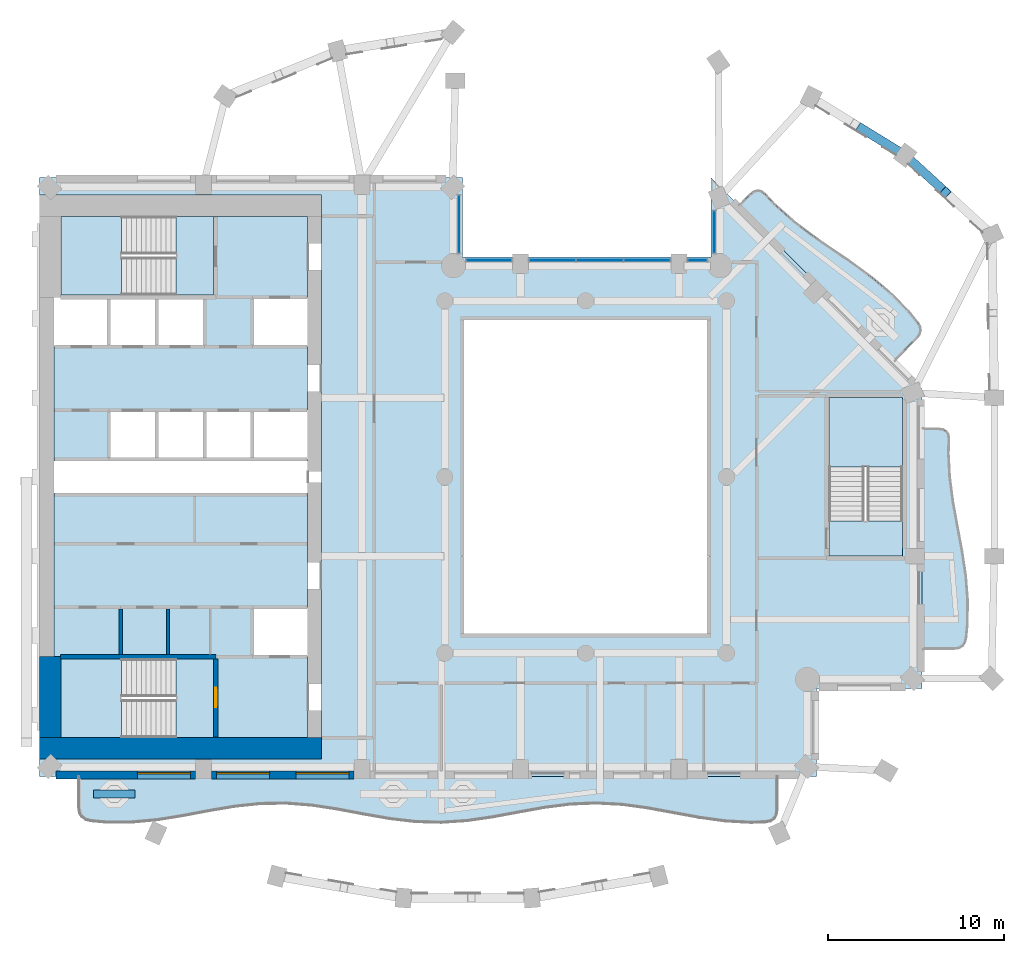
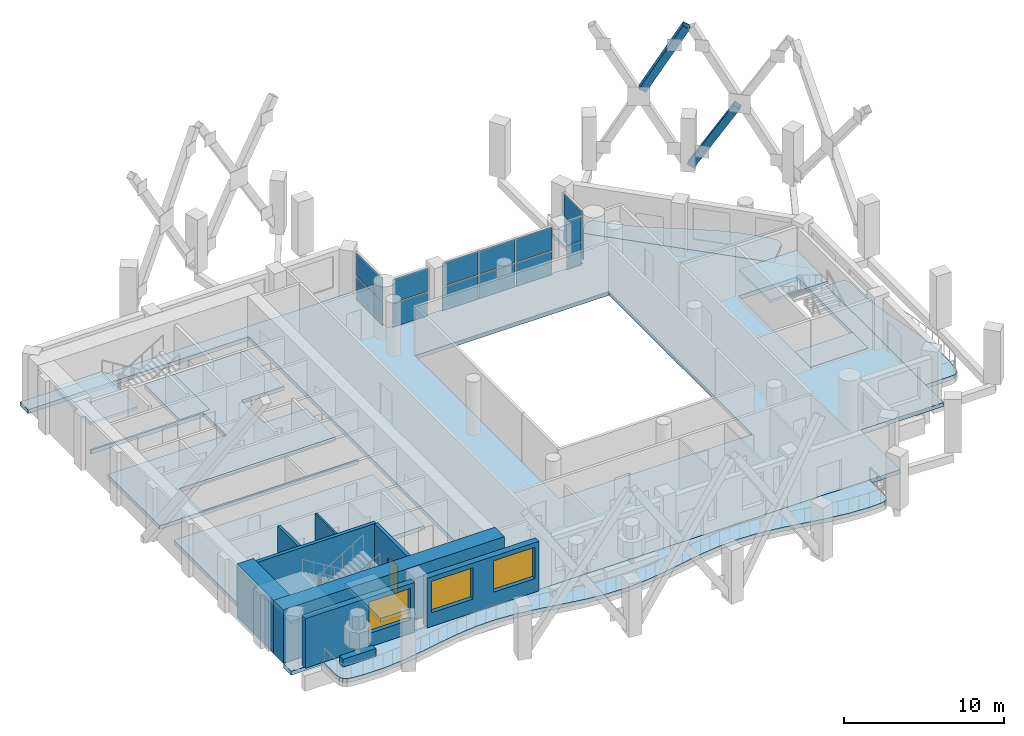
# One storey, part 3 of 17: 14 plates, 12 slabs, 9 walls, 3 windows, 2 members, 1 door, 4 openings, 8 elements without a shape of their own.
"""IFC4 building model written with IfcOpenShell, lengths in metres."""

from ifc_helpers import new_model, si_unit, direction, frame, frame_2d, origin, origin_2d, place, context, subcontext, project, spatial, polyline, rectangle, hollow_rectangle, outline, extrude, material, layer, layer_set, material_profile, profile_set, type_object, element, fill, aggregate, save


model = new_model("IFC4")

# Units and contexts
model_context = context("Model", 3, precision=1e-05, world=origin(), true_north=direction((0.0, 1.0)))
body_context = subcontext(model_context, "Body", "Model", "MODEL_VIEW")
ifc_project = project(units=[si_unit("LENGTHUNIT", "METRE"), si_unit("AREAUNIT", "SQUARE_METRE"), si_unit("VOLUMEUNIT", "CUBIC_METRE"), si_unit("PLANEANGLEUNIT", "RADIAN"), si_unit("MASSUNIT", "GRAM", prefix="KILO")], contexts=[model_context])

# Site, building, storey
site_placement = place(None, origin())
site = spatial("IfcSite", under=ifc_project, at=site_placement, CompositionType="ELEMENT")
building_placement = place(site_placement, origin())
building = spatial("IfcBuilding", under=site, at=building_placement, Name="Cypress Arch Tower", CompositionType="ELEMENT")
storey_placement = place(building_placement, frame((0.0, 0.0, 217.89990234375)))
storey = spatial("IfcBuildingStorey", under=building, at=storey_placement, Name="L48", CompositionType="ELEMENT", Elevation=217.89990234375)

# Members
ifc_material_1 = material(Name="Steel ASTM A500 Grade C", Category="steel")
ifc_material_profile = material_profile(ifc_material_1, hollow_rectangle(XDim=0.508056640625, YDim=0.508056640625, WallThickness=0.017578125, at=origin_2d()), Name="HSS 20x20x3/4")
ifc_profile_set = profile_set([ifc_material_profile], Name="Steel ASTM A500 Grade C")
member_type = type_object("IfcMemberType", Name="Exoskeleton brace HSS 20x20x3/4 Steel ASTM A500 Grade C", PredefinedType="BRACE", material=ifc_profile_set)
member_1_placement = place(storey_placement, frame((19.25244140625, 18.1630859375, 0.25732421875), z_axis=(0.378598463486, -0.346526055601, 0.858244077309), x_axis=(0.67517120176, 0.737661066014, 0.0)))
element("IfcMember", 1, at=member_1_placement, inside=storey, type_object=member_type, Name="Exoskeleton brace L48 CQ15-CQ16b2", PredefinedType="BRACE", context=body_context, shape_type="SweptSolid", body=[
    extrude(hollow_rectangle(XDim=0.508056640625, YDim=0.508056640625, WallThickness=0.017578125, at=origin_2d()), origin(), (0.0, 0.0, 1.0), 5.762451171875),
])
member_2_placement = place(storey_placement, frame((19.010009765625, 18.346435546875, 10.833251953125), z_axis=(-0.418588062756, 0.257499032582, -0.870906586229), x_axis=(-0.523959244261, -0.851743335961, 0.0)))
element("IfcMember", 2, at=member_2_placement, inside=storey, type_object=member_type, Name="Exoskeleton brace L48 CQ16-CQ17b1", PredefinedType="BRACE", context=body_context, shape_type="SweptSolid", body=[
    extrude(hollow_rectangle(XDim=0.508056640625, YDim=0.508056640625, WallThickness=0.017578125, at=origin_2d()), origin(), (0.0, 0.0, 1.0), 5.61669921875),
])

# Slabs
ifc_material_2 = material(Name="Concrete C40/50", Category="concrete")
ifc_layer_1 = layer(ifc_material_2, 0.300048828125)
ifc_layer_set_1 = layer_set([ifc_layer_1], Name="Balcony slab BS300")
slab_type_1 = type_object("IfcSlabType", Name="Balcony slab BS300", PredefinedType="USERDEFINED", material=ifc_layer_set_1)
slab_1_placement = place(storey_placement, frame((0.0, 0.0, -0.2998046875)))
element("IfcSlab", 3, at=slab_1_placement, inside=storey, type_object=slab_type_1, Name="Balcony slab L48-B01", ObjectType="BALCONY SLAB", PredefinedType="USERDEFINED", context=body_context, shape_type="SweptSolid", body=[
    extrude(outline(polyline([(-27.75, -17.0), (-27.75, -18.776611328125), (-27.708740234375, -19.07080078125), (-27.5849609375, -19.289794921875), (-27.378662109375, -19.433837890625), (-27.090087890625, -19.5029296875), (-26.283447265625, -19.58056640625), (-24.816650390625, -19.585205078125), (-23.35009765625, -19.453125), (-21.88330078125, -19.217529296875), (-20.416748046875, -18.939208984375), (-18.949951171875, -18.689208984375), (-17.4833984375, -18.5322265625), (-16.0166015625, -18.5078125), (-14.550048828125, -18.62255859375), (-13.083251953125, -18.84716796875), (-11.61669921875, -19.123779296875), (-10.14990234375, -19.3818359375), (-8.683349609375, -19.5546875), (-7.216552734375, -19.59814453125), (-5.75, -19.50146484375), (-4.283447265625, -19.288818359375), (-2.816650390625, -19.01513671875), (-1.35009765625, -18.750732421875), (0.11669921875, -18.56298828125), (1.583251953125, -18.500244140625), (3.050048828125, -18.57861328125), (4.5166015625, -18.778076171875), (5.9833984375, -19.04736328125), (7.449951171875, -19.3173828125), (8.916748046875, -19.51904296875), (10.38330078125, -19.600341796875), (11.18994140625, -19.567626953125), (11.478759765625, -19.5146484375), (11.68505859375, -19.382568359375), (11.808837890625, -19.171142578125), (11.85009765625, -18.88037109375), (11.85009765625, -17.0), (-27.75, -17.0)])), origin(), (0.0, 0.0, 1.0), 0.2998046875),
])
slab_2_placement = place(storey_placement, frame((0.0, 0.0, -0.2998046875)))
element("IfcSlab", 4, at=slab_2_placement, inside=storey, type_object=slab_type_1, Name="Balcony slab L48-B04", ObjectType="BALCONY SLAB", PredefinedType="USERDEFINED", context=body_context, shape_type="SweptSolid", body=[
    extrude(outline(polyline([(20.10009765625, -9.75), (21.91162109375, -9.75), (22.190185546875, -9.7109375), (22.39794921875, -9.59375), (22.534912109375, -9.3984375), (22.60107421875, -9.125), (22.67626953125, -8.361083984375), (22.691650390625, -6.97216796875), (22.582275390625, -5.583251953125), (22.373291015625, -4.1943359375), (22.113037109375, -2.8056640625), (21.861572265625, -1.416748046875), (21.676513671875, -0.02783203125), (21.6005859375, 1.361083984375), (21.628662109375, 2.125), (21.599609375, 2.3984375), (21.489501953125, 2.59375), (21.29833984375, 2.7109375), (21.026123046875, 2.75), (20.10009765625, 2.75), (20.10009765625, -9.75)])), origin(), (0.0, 0.0, 1.0), 0.2998046875),
])
slab_3_placement = place(storey_placement, frame((0.0, 0.0, -0.2998046875)))
element("IfcSlab", 5, at=slab_3_placement, inside=storey, type_object=slab_type_1, Name="Balcony slab L48-B05", ObjectType="BALCONY SLAB", PredefinedType="USERDEFINED", context=body_context, shape_type="SweptSolid", body=[
    extrude(outline(polyline([(18.509033203125, 6.591064453125), (19.791015625, 7.873046875), (19.9599609375, 8.09716796875), (20.02392578125, 8.326416015625), (19.98291015625, 8.560791015625), (19.836669921875, 8.80029296875), (19.350830078125, 9.392333984375), (18.382080078125, 10.38330078125), (17.32568359375, 11.286376953125), (16.198974609375, 12.119140625), (15.035888671875, 12.91552734375), (13.878173828125, 13.717529296875), (12.766845703125, 14.565673828125), (11.732177734375, 15.490478515625), (11.2119140625, 16.048095703125), (10.998291015625, 16.22021484375), (10.782470703125, 16.280029296875), (10.56494140625, 16.227783203125), (10.34521484375, 16.063232421875), (9.69091796875, 15.408935546875), (18.509033203125, 6.591064453125)])), origin(), (0.0, 0.0, 1.0), 0.2998046875),
])
ifc_material_3 = material(Name="Concrete C40/50", Category="concrete")
ifc_layer_2 = layer(ifc_material_3, 0.300048828125)
ifc_layer_set_2 = layer_set([ifc_layer_2], Name="Core floor CF300")
slab_type_2 = type_object("IfcSlabType", Name="Core floor CF300", PredefinedType="FLOOR", material=ifc_layer_set_2)
slab_4_placement = place(storey_placement, frame((0.0, 0.0, -0.2998046875)))
element("IfcSlab", 6, at=slab_4_placement, inside=storey, type_object=slab_type_2, Name="Core floor", PredefinedType="FLOOR", context=body_context, shape_type="SweptSolid", body=[
    extrude(outline(polyline([(-28.800048828125, -10.199951171875), (-29.199951171875, -10.199951171875), (-29.199951171875, -0.89990234375), (-15.199951171875, -0.89990234375), (-14.800048828125, -0.89990234375), (-14.800048828125, -7.39990234375), (-15.199951171875, -7.39990234375), (-17.919921875, -7.39990234375), (-17.919921875, -10.199951171875), (-15.199951171875, -10.199951171875), (-14.800048828125, -10.199951171875), (-14.800048828125, -14.800048828125), (-15.199951171875, -14.800048828125), (-20.125, -14.800048828125), (-20.125, -10.324951171875), (-22.27490234375, -10.324951171875), (-28.800048828125, -10.324951171875), (-28.800048828125, -10.199951171875)])), origin(), (0.0, 0.0, 1.0), 0.2998046875),
])
slab_5_placement = place(storey_placement, frame((0.0, 0.0, -0.2998046875)))
element("IfcSlab", 7, at=slab_5_placement, inside=storey, type_object=slab_type_2, Name="Core floor", PredefinedType="FLOOR", context=body_context, shape_type="SweptSolid", body=[
    extrude(outline(polyline([(-22.27490234375, -10.324951171875), (-22.27490234375, -14.800048828125), (-20.125, -14.800048828125), (-20.125, -10.324951171875), (-22.27490234375, -10.324951171875)])), origin(), (0.0, 0.0, 1.0), 0.2998046875),
])
slab_6_placement = place(storey_placement, frame((0.0, 0.0, -0.2998046875)))
element("IfcSlab", 8, at=slab_6_placement, inside=storey, type_object=slab_type_2, Name="Core floor", PredefinedType="FLOOR", context=body_context, shape_type="SweptSolid", body=[
    extrude(outline(polyline([(-20.125, 14.800048828125), (-22.27490234375, 14.800048828125), (-22.27490234375, 10.324951171875), (-20.125, 10.324951171875), (-20.125, 14.800048828125)])), origin(), (0.0, 0.0, 1.0), 0.2998046875),
])
slab_7_placement = place(storey_placement, frame((0.0, 0.0, -0.2998046875)))
element("IfcSlab", 9, at=slab_7_placement, inside=storey, type_object=slab_type_2, Name="Stair floor landing", PredefinedType="FLOOR", context=body_context, shape_type="SweptSolid", body=[
    extrude(outline(polyline([(19.0, -4.5), (19.0, -2.5), (14.800048828125, -2.5), (14.800048828125, -4.5), (19.0, -4.5)])), origin(), (0.0, 0.0, 1.0), 0.2998046875),
])
slab_8_placement = place(storey_placement, frame((0.0, 0.0, -0.2998046875)))
element("IfcSlab", 10, at=slab_8_placement, inside=storey, type_object=slab_type_2, Name="Core floor", PredefinedType="FLOOR", context=body_context, shape_type="SweptSolid", body=[
    extrude(outline(polyline([(-20.639892578125, 7.39990234375), (-20.639892578125, 10.199951171875), (-23.360107421875, 10.199951171875), (-26.080078125, 10.199951171875), (-28.800048828125, 10.199951171875), (-28.800048828125, 10.324951171875), (-22.27490234375, 10.324951171875), (-20.125, 10.324951171875), (-20.125, 14.800048828125), (-15.199951171875, 14.800048828125), (-14.800048828125, 14.800048828125), (-14.800048828125, 10.199951171875), (-15.199951171875, 10.199951171875), (-17.919921875, 10.199951171875), (-17.919921875, 7.39990234375), (-15.199951171875, 7.39990234375), (-14.800048828125, 7.39990234375), (-14.800048828125, 3.800048828125), (-15.199951171875, 3.800048828125), (-17.919921875, 3.800048828125), (-20.639892578125, 3.800048828125), (-23.360107421875, 3.800048828125), (-26.080078125, 3.800048828125), (-26.080078125, 1.5), (-26.080078125, 1.5), (-26.080078125, 1.0), (-25.679931640625, 1.0), (-23.360107421875, 1.0), (-20.639892578125, 1.0), (-17.919921875, 1.0), (-15.199951171875, 1.0), (-14.800048828125, 1.0), (-14.800048828125, 0.89990234375), (-15.199951171875, 0.89990234375), (-25.679931640625, 0.89990234375), (-26.47998046875, 0.89990234375), (-29.199951171875, 0.89990234375), (-29.199951171875, 1.5), (-29.199951171875, 7.39990234375), (-26.080078125, 7.39990234375), (-23.360107421875, 7.39990234375), (-20.639892578125, 7.39990234375)])), origin(), (0.0, 0.0, 1.0), 0.2998046875),
])

# Curtain wall, plates
ifc_material_4 = material(Name="Anodised aluminium, bronze finish, clear laminated double glazing", Category="aluminium")
curtain_wall_type = type_object("IfcCurtainWallType", Name="Curtain wall CW7 slot glazing", PredefinedType="NOTDEFINED", material=ifc_material_4)
curtain_wall_1_placement = place(storey_placement, origin())
curtain_wall_1 = element("IfcCurtainWall", 11, at=curtain_wall_1_placement, inside=storey, type_object=curtain_wall_type, Name="Curtain wall L48 slot B06.0", PredefinedType="NOTDEFINED")
ifc_material_5 = material(Name="Clear laminated double glazing", Category="glass")
ifc_layer_3 = layer(ifc_material_5, 0.0439453125)
ifc_layer_set_3 = layer_set([ifc_layer_3], Name="Glass panel CW7 44")
plate_type = type_object("IfcPlateType", Name="Glass panel CW7 44", PredefinedType="CURTAIN_PANEL", material=ifc_layer_set_3)
plate_1_placement = place(storey_placement, frame((8.300048828125, 13.912353515625, 0.085205078125), z_axis=(0.0, 0.0, 1.0), x_axis=(0.0, -1.0, 0.0)))
plate_1 = element("IfcPlate", 12, at=plate_1_placement, type_object=plate_type, Name="CW7 panel 1.1", PredefinedType="CURTAIN_PANEL", context=body_context, shape_type="SweptSolid", body=[
    extrude(rectangle(XDim=2.345458984375, YDim=0.0439453125, at=origin_2d()), origin(), (0.0, 0.0, 1.0), 1.7724609375),
])
plate_2_placement = place(storey_placement, frame((8.300048828125, 13.912353515625, 1.942626953125), z_axis=(0.0, 0.0, 1.0), x_axis=(0.0, -1.0, 0.0)))
plate_2 = element("IfcPlate", 13, at=plate_2_placement, type_object=plate_type, Name="CW7 panel 1.2", PredefinedType="CURTAIN_PANEL", context=body_context, shape_type="SweptSolid", body=[
    extrude(rectangle(XDim=2.345458984375, YDim=0.0439453125, at=origin_2d()), origin(), (0.0, 0.0, 1.0), 1.7724609375),
])
aggregate(curtain_wall_1, [plate_1, plate_2])

curtain_wall_2_placement = place(storey_placement, origin())
curtain_wall_2 = element("IfcCurtainWall", 14, at=curtain_wall_2_placement, inside=storey, type_object=curtain_wall_type, Name="Curtain wall L48 slot B07.0", PredefinedType="NOTDEFINED")
plate_3_placement = place(storey_placement, frame((7.34765625, 12.300048828125, 0.085205078125), z_axis=(0.0, 0.0, 1.0), x_axis=(-1.0, 0.0, 0.0)))
plate_3 = element("IfcPlate", 15, at=plate_3_placement, type_object=plate_type, Name="CW7 panel 1.1", PredefinedType="CURTAIN_PANEL", context=body_context, shape_type="SweptSolid", body=[
    extrude(rectangle(XDim=1.025390625, YDim=0.0439453125, at=origin_2d()), origin(), (0.0, 0.0, 1.0), 1.7724609375),
])
plate_4_placement = place(storey_placement, frame((7.34765625, 12.300048828125, 1.942626953125), z_axis=(0.0, 0.0, 1.0), x_axis=(-1.0, 0.0, 0.0)))
plate_4 = element("IfcPlate", 16, at=plate_4_placement, type_object=plate_type, Name="CW7 panel 1.2", PredefinedType="CURTAIN_PANEL", context=body_context, shape_type="SweptSolid", body=[
    extrude(rectangle(XDim=1.025390625, YDim=0.0439453125, at=origin_2d()), origin(), (0.0, 0.0, 1.0), 1.7724609375),
])
aggregate(curtain_wall_2, [plate_3, plate_4])

curtain_wall_3_placement = place(storey_placement, origin())
curtain_wall_3 = element("IfcCurtainWall", 17, at=curtain_wall_3_placement, inside=storey, type_object=curtain_wall_type, Name="Curtain wall L48 slot B07.1", PredefinedType="NOTDEFINED")
plate_5_placement = place(storey_placement, frame((4.478759765625, 12.300048828125, 0.085205078125), z_axis=(0.0, 0.0, 1.0), x_axis=(-1.0, 0.0, 0.0)))
plate_5 = element("IfcPlate", 18, at=plate_5_placement, type_object=plate_type, Name="CW7 panel 1.1", PredefinedType="CURTAIN_PANEL", context=body_context, shape_type="SweptSolid", body=[
    extrude(rectangle(XDim=2.572509765625, YDim=0.0439453125, at=origin_2d()), origin(), (0.0, 0.0, 1.0), 1.7724609375),
])
plate_6_placement = place(storey_placement, frame((4.478759765625, 12.300048828125, 1.942626953125), z_axis=(0.0, 0.0, 1.0), x_axis=(-1.0, 0.0, 0.0)))
plate_6 = element("IfcPlate", 19, at=plate_6_placement, type_object=plate_type, Name="CW7 panel 1.2", PredefinedType="CURTAIN_PANEL", context=body_context, shape_type="SweptSolid", body=[
    extrude(rectangle(XDim=2.572509765625, YDim=0.0439453125, at=origin_2d()), origin(), (0.0, 0.0, 1.0), 1.7724609375),
])
plate_7_placement = place(storey_placement, frame((1.800048828125, 12.300048828125, 0.085205078125), z_axis=(0.0, 0.0, 1.0), x_axis=(-1.0, 0.0, 0.0)))
plate_7 = element("IfcPlate", 20, at=plate_7_placement, type_object=plate_type, Name="CW7 panel 2.1", PredefinedType="CURTAIN_PANEL", context=body_context, shape_type="SweptSolid", body=[
    extrude(rectangle(XDim=2.614990234375, YDim=0.0439453125, at=origin_2d()), origin(), (0.0, 0.0, 1.0), 1.7724609375),
])
plate_8_placement = place(storey_placement, frame((1.800048828125, 12.300048828125, 1.942626953125), z_axis=(0.0, 0.0, 1.0), x_axis=(-1.0, 0.0, 0.0)))
plate_8 = element("IfcPlate", 21, at=plate_8_placement, type_object=plate_type, Name="CW7 panel 2.2", PredefinedType="CURTAIN_PANEL", context=body_context, shape_type="SweptSolid", body=[
    extrude(rectangle(XDim=2.614990234375, YDim=0.0439453125, at=origin_2d()), origin(), (0.0, 0.0, 1.0), 1.7724609375),
])
plate_9_placement = place(storey_placement, frame((-0.878662109375, 12.300048828125, 0.085205078125), z_axis=(0.0, 0.0, 1.0), x_axis=(-1.0, 0.0, 0.0)))
plate_9 = element("IfcPlate", 22, at=plate_9_placement, type_object=plate_type, Name="CW7 panel 3.1", PredefinedType="CURTAIN_PANEL", context=body_context, shape_type="SweptSolid", body=[
    extrude(rectangle(XDim=2.572509765625, YDim=0.0439453125, at=origin_2d()), origin(), (0.0, 0.0, 1.0), 1.7724609375),
])
plate_10_placement = place(storey_placement, frame((-0.878662109375, 12.300048828125, 1.942626953125), z_axis=(0.0, 0.0, 1.0), x_axis=(-1.0, 0.0, 0.0)))
plate_10 = element("IfcPlate", 23, at=plate_10_placement, type_object=plate_type, Name="CW7 panel 3.2", PredefinedType="CURTAIN_PANEL", context=body_context, shape_type="SweptSolid", body=[
    extrude(rectangle(XDim=2.572509765625, YDim=0.0439453125, at=origin_2d()), origin(), (0.0, 0.0, 1.0), 1.7724609375),
])
aggregate(curtain_wall_3, [plate_5, plate_6, plate_7, plate_8, plate_9, plate_10])

curtain_wall_4_placement = place(storey_placement, origin())
curtain_wall_4 = element("IfcCurtainWall", 24, at=curtain_wall_4_placement, inside=storey, type_object=curtain_wall_type, Name="Curtain wall L48 slot B07.2", PredefinedType="NOTDEFINED")
plate_11_placement = place(storey_placement, frame((-4.497802734375, 12.300048828125, 0.085205078125), z_axis=(0.0, 0.0, 1.0), x_axis=(-1.0, 0.0, 0.0)))
plate_11 = element("IfcPlate", 25, at=plate_11_placement, type_object=plate_type, Name="CW7 panel 1.1", PredefinedType="CURTAIN_PANEL", context=body_context, shape_type="SweptSolid", body=[
    extrude(rectangle(XDim=2.525390625, YDim=0.0439453125, at=origin_2d()), origin(), (0.0, 0.0, 1.0), 1.7724609375),
])
plate_12_placement = place(storey_placement, frame((-4.497802734375, 12.300048828125, 1.942626953125), z_axis=(0.0, 0.0, 1.0), x_axis=(-1.0, 0.0, 0.0)))
plate_12 = element("IfcPlate", 26, at=plate_12_placement, type_object=plate_type, Name="CW7 panel 1.2", PredefinedType="CURTAIN_PANEL", context=body_context, shape_type="SweptSolid", body=[
    extrude(rectangle(XDim=2.525390625, YDim=0.0439453125, at=origin_2d()), origin(), (0.0, 0.0, 1.0), 1.7724609375),
])
aggregate(curtain_wall_4, [plate_11, plate_12])

curtain_wall_5_placement = place(storey_placement, origin())
curtain_wall_5 = element("IfcCurtainWall", 27, at=curtain_wall_5_placement, inside=storey, type_object=curtain_wall_type, Name="Curtain wall L48 slot B08.0", PredefinedType="NOTDEFINED")
plate_13_placement = place(storey_placement, frame((-6.199951171875, 14.359130859375, 0.085205078125), z_axis=(0.0, 0.0, 1.0), x_axis=(0.0, 1.0, 0.0)))
plate_13 = element("IfcPlate", 28, at=plate_13_placement, type_object=plate_type, Name="CW7 panel 1.1", PredefinedType="CURTAIN_PANEL", context=body_context, shape_type="SweptSolid", body=[
    extrude(rectangle(XDim=3.239013671875, YDim=0.0439453125, at=origin_2d()), origin(), (0.0, 0.0, 1.0), 1.7724609375),
])
plate_14_placement = place(storey_placement, frame((-6.199951171875, 14.359130859375, 1.942626953125), z_axis=(0.0, 0.0, 1.0), x_axis=(0.0, 1.0, 0.0)))
plate_14 = element("IfcPlate", 29, at=plate_14_placement, type_object=plate_type, Name="CW7 panel 1.2", PredefinedType="CURTAIN_PANEL", context=body_context, shape_type="SweptSolid", body=[
    extrude(rectangle(XDim=3.239013671875, YDim=0.0439453125, at=origin_2d()), origin(), (0.0, 0.0, 1.0), 1.7724609375),
])
aggregate(curtain_wall_5, [plate_13, plate_14])

# Slab
ifc_material_6 = material(Name="Concrete C40/50", Category="concrete")
ifc_layer_4 = layer(ifc_material_6, 0.300048828125)
ifc_layer_set_4 = layer_set([ifc_layer_4], Name="PT flat slab 300 Concrete C40/50")
slab_type_3 = type_object("IfcSlabType", Name="PT flat slab 300 Concrete C40/50", PredefinedType="FLOOR", material=ifc_layer_set_4)
slab_9_placement = place(storey_placement, frame((0.0, 0.0, -0.2998046875)))
element("IfcSlab", 30, at=slab_9_placement, inside=storey, type_object=slab_type_3, Name="Floor slab L48", PredefinedType="FLOOR", context=body_context, shape_type="SweptSolid", body=[
    extrude(outline(polyline([(-30.0, 17.0), (-6.0, 17.0), (-6.0, 12.5), (8.10009765625, 12.5), (8.10009765625, 17.0), (20.10009765625, 5.0), (20.10009765625, -12.0), (14.10009765625, -12.0), (14.10009765625, -17.0), (-30.0, -17.0), (-30.0, -16.0), (-14.0, -16.0), (-14.0, 16.0), (-30.0, 16.0), (-30.0, 17.0)]), holes=[polyline([(-6.0, -9.0), (8.0, -9.0), (8.0, 9.0), (-6.0, 9.0), (-6.0, -9.0)]), polyline([(14.800048828125, -4.5), (19.0, -4.5), (19.0, 4.5), (14.800048828125, 4.5), (14.800048828125, -4.5)])]), origin(), (0.0, 0.0, 1.0), 0.2998046875),
])

# Stair, slab
ifc_material_7 = material(Name="Concrete C40/50", Category="concrete")
stair_type_1 = type_object("IfcStairType", Name="Exit stair ES1708-215", PredefinedType="HALF_TURN_STAIR", material=ifc_material_7)
stair_1_placement = place(storey_placement, origin())
stair_1 = element("IfcStair", 31, at=stair_1_placement, inside=storey, type_object=stair_type_1, Name="L48 Exit stair A", PredefinedType="HALF_TURN_STAIR")
ifc_material_8 = material(Name="Concrete C40/50", Category="concrete")
ifc_layer_5 = layer(ifc_material_8, 0.199951171875)
ifc_layer_set_5 = layer_set([ifc_layer_5], Name="Stair landing SL200")
slab_type_4 = type_object("IfcSlabType", Name="Stair landing SL200", PredefinedType="LANDING", material=ifc_layer_set_5)
slab_10_placement = place(storey_placement, frame((0.0, 0.0, 1.85009765625)))
slab_10 = element("IfcSlab", 32, at=slab_10_placement, type_object=slab_type_4, Name="A landing 1", PredefinedType="LANDING", context=body_context, shape_type="SweptSolid", body=[
    extrude(outline(polyline([(-25.35498046875, -10.324951171875), (-28.800048828125, -10.324951171875), (-28.800048828125, -14.800048828125), (-25.35498046875, -14.800048828125), (-25.35498046875, -10.324951171875)])), origin(), (0.0, 0.0, 1.0), 0.199951171875),
])
aggregate(stair_1, [slab_10])

stair_2_placement = place(storey_placement, origin())
stair_2 = element("IfcStair", 33, at=stair_2_placement, inside=storey, type_object=stair_type_1, Name="L48 Exit stair B", PredefinedType="HALF_TURN_STAIR")
slab_11_placement = place(storey_placement, frame((0.0, 0.0, 1.85009765625)))
slab_11 = element("IfcSlab", 34, at=slab_11_placement, type_object=slab_type_4, Name="B landing 1", PredefinedType="LANDING", context=body_context, shape_type="SweptSolid", body=[
    extrude(outline(polyline([(-25.35498046875, 14.800048828125), (-28.800048828125, 14.800048828125), (-28.800048828125, 10.324951171875), (-25.35498046875, 10.324951171875), (-25.35498046875, 14.800048828125)])), origin(), (0.0, 0.0, 1.0), 0.199951171875),
])
aggregate(stair_2, [slab_11])

ifc_material_9 = material(Name="Concrete C40/50", Category="concrete")
stair_type_2 = type_object("IfcStairType", Name="Exit stair ES1708-200", PredefinedType="HALF_TURN_STAIR", material=ifc_material_9)
stair_3_placement = place(storey_placement, origin())
stair_3 = element("IfcStair", 35, at=stair_3_placement, inside=storey, type_object=stair_type_2, Name="L48 Exit stair C", PredefinedType="HALF_TURN_STAIR")
slab_12_placement = place(storey_placement, frame((0.0, 0.0, 1.85009765625)))
slab_12 = element("IfcSlab", 36, at=slab_12_placement, type_object=slab_type_4, Name="C landing 1", PredefinedType="LANDING", context=body_context, shape_type="SweptSolid", body=[
    extrude(outline(polyline([(19.0, 0.580078125), (19.0, 4.5), (14.800048828125, 4.5), (14.800048828125, 0.580078125), (19.0, 0.580078125)])), origin(), (0.0, 0.0, 1.0), 0.199951171875),
])
aggregate(stair_3, [slab_12])

# Wall
ifc_material_10 = material(Name="Concrete C40/50, waterproofed", Category="concrete")
ifc_layer_6 = layer(ifc_material_10, 0.449951171875)
ifc_layer_set_6 = layer_set([ifc_layer_6], Name="Balcony planter wall PW450")
wall_type_1 = type_object("IfcWallType", Name="Balcony planter wall PW450", PredefinedType="SOLIDWALL", material=ifc_layer_set_6)
wall_1_placement = place(storey_placement, frame((-26.949951171875, -18.0, 0.0), z_axis=(0.0, 0.0, 1.0), x_axis=(1.0, 0.0, 0.0)))
element("IfcWall", 37, at=wall_1_placement, inside=storey, type_object=wall_type_1, Name="Balcony planter wall L48-B01.1", PredefinedType="SOLIDWALL", context=body_context, shape_type="SweptSolid", body=[
    extrude(rectangle(XDim=2.35986328125, YDim=0.449951171875, at=frame_2d((1.179931640625, 0.0))), origin(), (0.0, 0.0, 1.0), 0.60009765625),
])

# Wall, opening, window
ifc_material_11 = material(Name="Brick (red buff blend)", Category="masonry")
ifc_layer_7 = layer(ifc_material_11, 0.449951171875)
ifc_layer_set_7 = layer_set([ifc_layer_7], Name="Brick pier and spandrel wall BW450")
wall_type_2 = type_object("IfcWallType", Name="Brick pier and spandrel wall BW450", PredefinedType="SOLIDWALL", material=ifc_layer_set_7)
wall_2_placement = place(storey_placement, frame((-29.063720703125, -16.925048828125, 0.0), z_axis=(0.0, 0.0, 1.0), x_axis=(1.0, 0.0, 0.0)))
wall_2 = element("IfcWall", 38, at=wall_2_placement, inside=storey, type_object=wall_type_2, Name="Brick wall L48 B01.0", PredefinedType="SOLIDWALL", context=body_context, shape_type="SweptSolid", body=[
    extrude(rectangle(XDim=7.913818359375, YDim=0.449951171875, at=frame_2d((3.95703125, 0.0))), origin(), (0.0, 0.0, 1.0), 3.800048828125),
])
opening_1_placement = place(wall_2_placement, frame((4.613525390625, 0.0, 1.050048828125)))
opening_1 = element("IfcOpeningElement", 39, at=opening_1_placement, cuts=wall_2, Name="Opening W300OD", PredefinedType="OPENING", context=body_context, shape_type="SweptSolid", body=[
    extrude(rectangle(XDim=3.0, YDim=2.39990234375, at=frame_2d((1.5, 1.199951171875))), frame((0.0, 0.23486328125, 0.0), z_axis=(0.0, -1.0, 0.0), x_axis=(1.0, 0.0, 0.0)), (0.0, 0.0, 1.0), 0.469970703125),
])
ifc_material_12 = material(Name="Anodised aluminium, bronze finish, laminated low-emissivity double glazing, large-missile impact rated", Category="aluminium")
window_type = type_object("IfcWindowType", Name="Window Office 3000x2400 debris-rated", PartitioningType="SINGLE_PANEL", PredefinedType="WINDOW", material=ifc_material_12)
window_1_placement = place(opening_1_placement, origin())
window_1 = element("IfcWindow", 40, at=window_1_placement, inside=storey, type_object=window_type, Name="Window L48 B01.0.2", OverallHeight=2.39990234375, OverallWidth=3.0, PartitioningType="SINGLE_PANEL", PredefinedType="WINDOW", context=body_context, shape_type="SweptSolid", body=[
    extrude(rectangle(XDim=3.0, YDim=2.39990234375, at=frame_2d((1.5, 1.199951171875))), frame((0.0, 0.135009765625, 0.0), z_axis=(0.0, -1.0, 0.0), x_axis=(1.0, 0.0, 0.0)), (0.0, 0.0, 1.0), 0.06005859375),
])
fill(opening_1, window_1)

# Wall, openings, windows
wall_3_placement = place(storey_placement, frame((-20.25, -16.925048828125, 0.0), z_axis=(0.0, 0.0, 1.0), x_axis=(1.0, 0.0, 0.0)))
wall_3 = element("IfcWall", 41, at=wall_3_placement, inside=storey, type_object=wall_type_2, Name="Brick wall L48 B01.1", PredefinedType="SOLIDWALL", context=body_context, shape_type="SweptSolid", body=[
    extrude(rectangle(XDim=8.10009765625, YDim=0.449951171875, at=frame_2d((4.050048828125, 0.0))), origin(), (0.0, 0.0, 1.0), 3.800048828125),
])
opening_2_placement = place(wall_3_placement, frame((0.300048828125, 0.0, 1.050048828125)))
opening_2 = element("IfcOpeningElement", 42, at=opening_2_placement, cuts=wall_3, Name="Opening W300OD", PredefinedType="OPENING", context=body_context, shape_type="SweptSolid", body=[
    extrude(rectangle(XDim=3.0, YDim=2.39990234375, at=frame_2d((1.5, 1.199951171875))), frame((0.0, 0.23486328125, 0.0), z_axis=(0.0, -1.0, 0.0), x_axis=(1.0, 0.0, 0.0)), (0.0, 0.0, 1.0), 0.469970703125),
])
opening_3_placement = place(wall_3_placement, frame((4.800048828125, 0.0, 1.050048828125)))
opening_3 = element("IfcOpeningElement", 43, at=opening_3_placement, cuts=wall_3, Name="Opening W300OD", PredefinedType="OPENING", context=body_context, shape_type="SweptSolid", body=[
    extrude(rectangle(XDim=3.0, YDim=2.39990234375, at=frame_2d((1.5, 1.199951171875))), frame((0.0, 0.23486328125, 0.0), z_axis=(0.0, -1.0, 0.0), x_axis=(1.0, 0.0, 0.0)), (0.0, 0.0, 1.0), 0.469970703125),
])
window_2_placement = place(opening_2_placement, origin())
window_2 = element("IfcWindow", 44, at=window_2_placement, inside=storey, type_object=window_type, Name="Window L48 B01.1.1", OverallHeight=2.39990234375, OverallWidth=3.0, PartitioningType="SINGLE_PANEL", PredefinedType="WINDOW", context=body_context, shape_type="SweptSolid", body=[
    extrude(rectangle(XDim=3.0, YDim=2.39990234375, at=frame_2d((1.5, 1.199951171875))), frame((0.0, 0.135009765625, 0.0), z_axis=(0.0, -1.0, 0.0), x_axis=(1.0, 0.0, 0.0)), (0.0, 0.0, 1.0), 0.06005859375),
])
fill(opening_2, window_2)
window_3_placement = place(opening_3_placement, origin())
window_3 = element("IfcWindow", 45, at=window_3_placement, inside=storey, type_object=window_type, Name="Window L48 B01.1.2", OverallHeight=2.39990234375, OverallWidth=3.0, PartitioningType="SINGLE_PANEL", PredefinedType="WINDOW", context=body_context, shape_type="SweptSolid", body=[
    extrude(rectangle(XDim=3.0, YDim=2.39990234375, at=frame_2d((1.5, 1.199951171875))), frame((0.0, 0.135009765625, 0.0), z_axis=(0.0, -1.0, 0.0), x_axis=(1.0, 0.0, 0.0)), (0.0, 0.0, 1.0), 0.06005859375),
])
fill(opening_3, window_3)

# Walls
ifc_material_13 = material(Name="Concrete C70/85", Category="concrete")
ifc_layer_8 = layer(ifc_material_13, 1.199951171875)
ifc_layer_set_8 = layer_set([ifc_layer_8], Name="Core wall CW1200 C70/85")
wall_type_3 = type_object("IfcWallType", Name="Core wall CW1200 C70/85", PredefinedType="SHEAR", material=ifc_layer_set_8)
wall_4_placement = place(storey_placement, frame((-30.0, -15.39990234375, 0.0), z_axis=(0.0, 0.0, 1.0), x_axis=(1.0, 0.0, 0.0)))
element("IfcWall", 46, at=wall_4_placement, inside=storey, type_object=wall_type_3, Name="Core wall", PredefinedType="SHEAR", context=body_context, shape_type="SweptSolid", body=[
    extrude(rectangle(XDim=16.0, YDim=1.199951171875, at=frame_2d((8.0, 0.0))), origin(), (0.0, 0.0, 1.0), 4.10009765625),
])
wall_5_placement = place(storey_placement, frame((-29.39990234375, -14.800048828125, 0.0), z_axis=(0.0, 0.0, 1.0), x_axis=(0.0, 1.0, 0.0)))
element("IfcWall", 47, at=wall_5_placement, inside=storey, type_object=wall_type_3, Name="Core wall", PredefinedType="SHEAR", context=body_context, shape_type="SweptSolid", body=[
    extrude(rectangle(XDim=4.60009765625, YDim=1.199951171875, at=frame_2d((2.300048828125, 0.0))), origin(), (0.0, 0.0, 1.0), 4.10009765625),
])
ifc_material_14 = material(Name="Blockwork, plastered both sides", Category="masonry")
ifc_layer_9 = layer(ifc_material_14, 0.14990234375)
ifc_layer_set_9 = layer_set([ifc_layer_9], Name="Partition PW150")
wall_type_4 = type_object("IfcWallType", Name="Partition PW150", PredefinedType="PARTITIONING", material=ifc_layer_set_9)
wall_6_placement = place(storey_placement, frame((-22.719970703125, -10.074951171875, 0.0), z_axis=(0.0, 0.0, 1.0), x_axis=(0.0, 1.0, 0.0)))
element("IfcWall", 48, at=wall_6_placement, inside=storey, type_object=wall_type_4, Name="Partition", PredefinedType="PARTITIONING", context=body_context, shape_type="SweptSolid", body=[
    extrude(rectangle(XDim=2.574951171875, YDim=0.14990234375, at=frame_2d((1.28759765625, 0.0))), origin(), (0.0, 0.0, 1.0), 3.800048828125),
])
ifc_material_15 = material(Name="Reinforced blockwork, plastered, rated", Category="masonry")
ifc_layer_10 = layer(ifc_material_15, 0.199951171875)
ifc_layer_set_10 = layer_set([ifc_layer_10], Name="Plant and riser wall PL200")
wall_type_5 = type_object("IfcWallType", Name="Plant and riser wall PL200", PredefinedType="PARTITIONING", material=ifc_layer_set_10)
wall_7_placement = place(storey_placement, frame((-25.39990234375, -10.074951171875, 0.0), z_axis=(0.0, 0.0, 1.0), x_axis=(0.0, 1.0, 0.0)))
element("IfcWall", 49, at=wall_7_placement, inside=storey, type_object=wall_type_5, Name="Plant and riser wall", PredefinedType="PARTITIONING", context=body_context, shape_type="SweptSolid", body=[
    extrude(rectangle(XDim=2.574951171875, YDim=0.199951171875, at=frame_2d((1.28759765625, 0.0))), origin(), (0.0, 0.0, 1.0), 3.800048828125),
])
ifc_material_16 = material(Name="Concrete C50/60", Category="concrete")
ifc_layer_11 = layer(ifc_material_16, 0.25)
ifc_layer_set_11 = layer_set([ifc_layer_11], Name="Stair enclosure wall SW250")
wall_type_6 = type_object("IfcWallType", Name="Stair enclosure wall SW250", PredefinedType="SHEAR", material=ifc_layer_set_11)
wall_8_placement = place(storey_placement, frame((-28.81005859375, -10.199951171875, 0.0), z_axis=(0.0, 0.0, 1.0), x_axis=(1.0, 0.0, 0.0)))
element("IfcWall", 50, at=wall_8_placement, inside=storey, type_object=wall_type_6, Name="Stair enclosure wall", PredefinedType="SHEAR", context=body_context, shape_type="SweptSolid", body=[
    extrude(rectangle(XDim=8.81005859375, YDim=0.25, at=frame_2d((4.405029296875, 0.0))), origin(), (0.0, 0.0, 1.0), 3.800048828125),
])

# Wall, opening, door
wall_9_placement = place(storey_placement, frame((-20.0, -14.77001953125, 0.0), z_axis=(0.0, 0.0, 1.0), x_axis=(0.0, 1.0, 0.0)))
wall_9 = element("IfcWall", 51, at=wall_9_placement, inside=storey, type_object=wall_type_6, Name="Stair enclosure wall", PredefinedType="SHEAR", context=body_context, shape_type="SweptSolid", body=[
    extrude(rectangle(XDim=4.445068359375, YDim=0.25, at=frame_2d((2.22265625, 0.0))), origin(), (0.0, 0.0, 1.0), 3.800048828125),
])
opening_4_placement = place(wall_9_placement, frame((1.699951171875, 0.0, 0.0)))
opening_4 = element("IfcOpeningElement", 52, at=opening_4_placement, cuts=wall_9, Name="Opening D06", PredefinedType="OPENING", context=body_context, shape_type="SweptSolid", body=[
    extrude(rectangle(XDim=1.10009765625, YDim=2.199951171875, at=frame_2d((0.550048828125, 1.10009765625))), frame((0.0, 0.135009765625, 0.0), z_axis=(0.0, -1.0, 0.0), x_axis=(1.0, 0.0, 0.0)), (0.0, 0.0, 1.0), 0.27001953125),
])
ifc_material_17 = material(Name="Steel door, fire resisting, panic bar", Category="steel")
door_type = type_object("IfcDoorType", Name="Stair door D06 1100x2200", OperationType="SINGLE_SWING_LEFT", PredefinedType="DOOR", material=ifc_material_17)
door_placement = place(opening_4_placement, origin())
door = element("IfcDoor", 53, at=door_placement, inside=storey, type_object=door_type, Name="Stair door", OperationType="SINGLE_SWING_RIGHT", OverallHeight=2.199951171875, OverallWidth=1.10009765625, PredefinedType="DOOR", context=body_context, shape_type="SweptSolid", body=[
    extrude(rectangle(XDim=1.10009765625, YDim=2.199951171875, at=frame_2d((0.550048828125, 1.10009765625))), frame((0.0, 0.02490234375, 0.0), z_axis=(0.0, -1.0, 0.0), x_axis=(1.0, 0.0, 0.0)), (0.0, 0.0, 1.0), 0.050048828125),
])
fill(opening_4, door)

save(model, "model.ifc")
